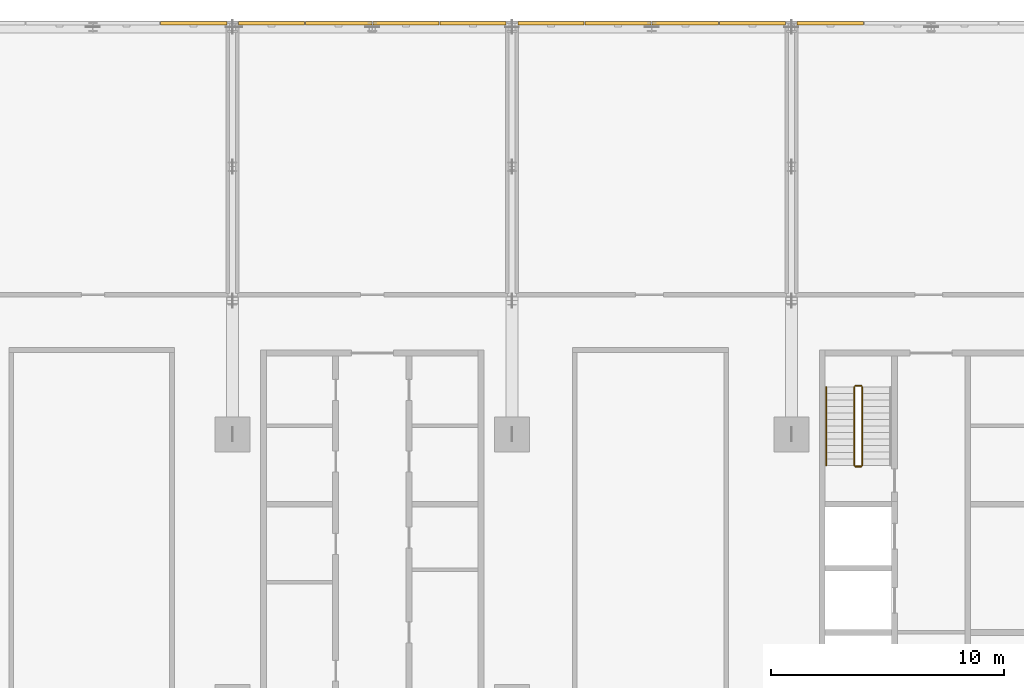
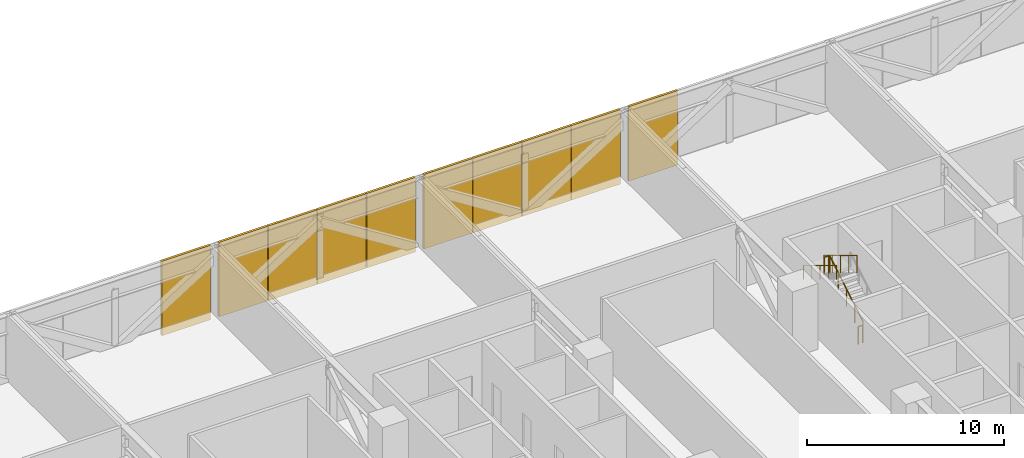
# One storey, part 24 of 26: 10 coverings, 5 railings.
"""IFC4 building model written with IfcOpenShell, lengths in metres."""

import ifcopenshell
import ifcopenshell.guid

model = None  # the IFC model being written
_history = None  # IfcOwnerHistory: only IFC2X3 demands one
_inside = {}  # id of a spatial element -> (the spatial element, [elements in it])
_under = {}  # id of a project, library or spatial element -> (it, [spatial elements below it])
_declared = {}  # id of a project -> (the project, [libraries it declares])
_typed = {}  # id of a type object -> (the type object, [elements of that type])
_made_of = {}  # id of a material, layer set ... -> (it, [elements and type objects made of it])


def new_model(schema):
    """Start an empty IFC model of exactly this schema.

    Asked for "IFC4X3", IfcOpenShell would pick the latest addendum, in which some entities
    have other attributes; the version numbers below select the first issue.
    IFC2X3 requires an IfcOwnerHistory on every rooted entity: one is made here for all.
    """
    global model, _history
    if schema == "IFC4X3":
        model = ifcopenshell.file(schema_version=(4, 3, 0, 0))
    else:
        model = ifcopenshell.file(schema=schema)
    _inside.clear()
    _under.clear()
    _declared.clear()
    _typed.clear()
    _made_of.clear()
    _history = None
    if model.schema == "IFC2X3":
        org = make("IfcOrganization", Name="unknown")
        user = make(
            "IfcPersonAndOrganization",
            ThePerson=make("IfcPerson", FamilyName="unknown"),
            TheOrganization=org,
        )
        app = make(
            "IfcApplication",
            ApplicationDeveloper=org,
            Version="unknown",
            ApplicationFullName="unknown",
            ApplicationIdentifier="unknown",
        )
        _history = make(
            "IfcOwnerHistory",
            OwningUser=user,
            OwningApplication=app,
            ChangeAction="ADDED",
            CreationDate=0,
        )
    return model


def make(cls, **values):
    """One entity of the class cls with the attributes given. An attribute that is None is left unset."""
    return model.create_entity(
        cls, **{name: value for name, value in values.items() if value is not None}
    )


def rooted(cls, **values):
    """An entity with a GlobalId (a new one), such as an element, a storey or a relation."""
    return make(cls, GlobalId=ifcopenshell.guid.new(), OwnerHistory=_history, **values)


def si_unit(unit_type, name, prefix=None):
    """IfcSIUnit, for example si_unit("LENGTHUNIT", "METRE", prefix="MILLI")."""
    return make("IfcSIUnit", UnitType=unit_type, Prefix=prefix, Name=name)


def assignment(units):
    """IfcUnitAssignment: the units of a project."""
    return None if units is None else make("IfcUnitAssignment", Units=units)


def point(xyz):
    """IfcCartesianPoint."""
    return None if xyz is None else make("IfcCartesianPoint", Coordinates=xyz)


def direction(xyz):
    """IfcDirection."""
    return None if xyz is None else make("IfcDirection", DirectionRatios=xyz)


def frame(location, z_axis=None, x_axis=None):
    """IfcAxis2Placement3D, a coordinate frame: its origin and axes. An axis left out is left unset."""
    return make(
        "IfcAxis2Placement3D",
        Location=point(location),
        Axis=direction(z_axis),
        RefDirection=direction(x_axis),
    )


def frame_2d(location, x_axis=None):
    """IfcAxis2Placement2D, a coordinate frame in the plane: its origin and x axis."""
    return make(
        "IfcAxis2Placement2D", Location=point(location), RefDirection=direction(x_axis)
    )


def origin():
    """The frame at (0, 0, 0) with its axes left unset."""
    return frame((0.0, 0.0, 0.0))


def origin_2d():
    """The frame at (0, 0) in the plane with its x axis left unset."""
    return frame_2d((0.0, 0.0))


def place(relative_to, where):
    """IfcLocalPlacement: puts the frame where relative to a parent placement (None: the world)."""
    return make(
        "IfcLocalPlacement", PlacementRelTo=relative_to, RelativePlacement=where
    )


def context(
    kind, dimensions, precision=None, world=None, true_north=None, identifier=None
):
    """IfcGeometricRepresentationContext, for example the 3D "Model" context."""
    return make(
        "IfcGeometricRepresentationContext",
        ContextIdentifier=identifier,
        ContextType=kind,
        CoordinateSpaceDimension=dimensions,
        Precision=precision,
        WorldCoordinateSystem=world,
        TrueNorth=true_north,
    )


def subcontext(parent, identifier, kind, view, scale=None):
    """IfcGeometricRepresentationSubContext, for example "Body" below "Model"."""
    return make(
        "IfcGeometricRepresentationSubContext",
        ContextIdentifier=identifier,
        ContextType=kind,
        ParentContext=parent,
        TargetScale=scale,
        TargetView=view,
    )


def project(units=None, contexts=None):
    """IfcProject with its units and contexts."""
    return rooted(
        "IfcProject",
        Name="project",
        RepresentationContexts=contexts,
        UnitsInContext=assignment(units),
    )


def spatial(cls, under=None, at=None, **own):
    """A site, building, storey or space (cls), placed at a placement, below another one or the project."""
    s = rooted(cls, ObjectPlacement=at, **own)
    if under is not None:
        _under.setdefault(under.id(), (under, []))[1].append(s)
    return s


def profile(cls, at=None, kind="AREA", **sizes):
    """A parametric profile (cls). Its sizes go by their IFC names, for example OverallWidth=200.0."""
    return make(cls, ProfileType=kind, Position=at, **sizes)


def rectangle(**sizes):
    """IfcRectangleProfileDef."""
    return profile("IfcRectangleProfileDef", **sizes)


def circle(**sizes):
    """IfcCircleProfileDef."""
    return profile("IfcCircleProfileDef", **sizes)


def extrude(swept, where, along, depth):
    """IfcExtrudedAreaSolid: the profile swept, set in the frame where, extruded along a direction by depth."""
    return make(
        "IfcExtrudedAreaSolid",
        SweptArea=swept,
        Position=where,
        ExtrudedDirection=direction(along),
        Depth=depth,
    )


def shape(context_of_items, identifier, shape_type, items):
    """IfcShapeRepresentation: the items that make up one representation, for example the "Body"."""
    return make(
        "IfcShapeRepresentation",
        ContextOfItems=context_of_items,
        RepresentationIdentifier=identifier,
        RepresentationType=shape_type,
        Items=items,
    )


def material(Name=None, Category=None):
    """IfcMaterial."""
    return make("IfcMaterial", Name=Name, Category=Category)


def made_of(thing, what):
    """Note that an element or type object is made of a material, layer set ...; save() writes the relation."""
    if what is not None:
        _made_of.setdefault(what.id(), (what, []))[1].append(thing)
    return thing


def type_object(cls, material=None, **own):
    """A type object (cls), such as IfcWallType, which elements share."""
    return made_of(rooted(cls, **own), material)


def element(
    cls,
    number,
    at=None,
    inside=None,
    cuts=None,
    type_object=None,
    material=None,
    context=None,
    identifier="Body",
    shape_type=None,
    held_by="IfcProductDefinitionShape",
    body=None,
    shapes=None,
    **own,
):
    """One element of the class cls, such as IfcWall. Its Tag is "e" and its number.

    at: its placement. inside: the storey or other place that contains it. cuts: it is an
    opening in that element (IfcRelVoidsElement). A single representation is given by context,
    identifier, shape_type and body (its items); several are given by shapes. held_by: the class
    of the entity that holds the representations. save() writes the other relations.
    """
    e = rooted(cls, Tag="e%d" % number, ObjectPlacement=at, **own)
    if body is not None:
        shapes = [shape(context, identifier, shape_type, body)]
    if shapes is not None:
        e.Representation = make(held_by, Representations=shapes)
    if inside is not None:
        _inside.setdefault(inside.id(), (inside, []))[1].append(e)
    if cuts is not None:
        rooted(
            "IfcRelVoidsElement", RelatingBuildingElement=cuts, RelatedOpeningElement=e
        )
    if type_object is not None:
        _typed.setdefault(type_object.id(), (type_object, []))[1].append(e)
    return made_of(e, material)


def aggregate(whole, parts):
    """IfcRelAggregates: a whole, such as a stair, and the parts it consists of."""
    return rooted("IfcRelAggregates", RelatingObject=whole, RelatedObjects=parts)


def save(model, path):
    """Write the relations noted so far, then the file.

    IfcRelAggregates (storeys below a building ...), IfcRelContainedInSpatialStructure (elements
    in a storey), IfcRelDefinesByType, IfcRelAssociatesMaterial and IfcRelDeclares: one each for
    every whole, place, type object, material and project.
    """
    for whole, parts in _under.values():
        aggregate(whole, parts)
    for where, things in _inside.values():
        rooted(
            "IfcRelContainedInSpatialStructure",
            RelatedElements=things,
            RelatingStructure=where,
        )
    for kind, things in _typed.values():
        rooted("IfcRelDefinesByType", RelatedObjects=things, RelatingType=kind)
    for what, things in _made_of.values():
        rooted("IfcRelAssociatesMaterial", RelatedObjects=things, RelatingMaterial=what)
    for by, libraries in _declared.values():
        rooted("IfcRelDeclares", RelatingContext=by, RelatedDefinitions=libraries)
    model.write(path)


model = new_model("IFC4")

# Units and contexts
model_context = context("Model", 3, precision=1e-05, world=origin(), true_north=direction((0.0, 1.0)))
body_context = subcontext(model_context, "Body", "Model", "MODEL_VIEW")
ifc_project = project(units=[si_unit("LENGTHUNIT", "METRE"), si_unit("AREAUNIT", "SQUARE_METRE"), si_unit("VOLUMEUNIT", "CUBIC_METRE"), si_unit("PLANEANGLEUNIT", "RADIAN"), si_unit("MASSUNIT", "GRAM", prefix="KILO")], contexts=[model_context])

# Site, building, storey
site_placement = place(None, origin())
site = spatial("IfcSite", under=ifc_project, at=site_placement, CompositionType="ELEMENT")
building_placement = place(site_placement, origin())
building = spatial("IfcBuilding", under=site, at=building_placement, Name="Mahtab Terrace Research Tower", CompositionType="ELEMENT")
storey_placement = place(building_placement, frame((0.0, 0.0, 80.39990234375)))
storey = spatial("IfcBuildingStorey", under=building, at=storey_placement, Name="L18", CompositionType="ELEMENT", Elevation=80.39990234375)

# Coverings
ifc_material_1 = material(Name="Natural anodised aluminium", Category="aluminium")
covering_type = type_object("IfcCoveringType", Name="Plant storey louvre bay", PredefinedType="CLADDING", material=ifc_material_1)
for number, where, z_axis, x_axis, name in (
    (1, (19.6708984375, 29.159912109375, -0.5498046875), (0.0, 0.0, 1.0), (-1.0, 0.0, 0.0), "Louvre bay L18 16"),
    (2, (16.3291015625, 29.159912109375, -0.5498046875), (0.0, 0.0, 1.0), (-1.0, 0.0, 0.0), "Louvre bay L18 17"),
    (3, (13.443115234375, 29.159912109375, -0.5498046875), (0.0, 0.0, 1.0), (-1.0, 0.0, 0.0), "Louvre bay L18 18"),
    (4, (10.556884765625, 29.159912109375, -0.5498046875), (0.0, 0.0, 1.0), (-1.0, 0.0, 0.0), "Louvre bay L18 19"),
    (5, (7.6708984375, 29.159912109375, -0.5498046875), (0.0, 0.0, 1.0), (-1.0, 0.0, 0.0), "Louvre bay L18 20"),
    (6, (4.3291015625, 29.159912109375, -0.5498046875), (0.0, 0.0, 1.0), (-1.0, 0.0, 0.0), "Louvre bay L18 21"),
    (7, (1.443115234375, 29.159912109375, -0.5498046875), (0.0, 0.0, 1.0), (-1.0, 0.0, 0.0), "Louvre bay L18 22"),
    (8, (-1.443115234375, 29.159912109375, -0.5498046875), (0.0, 0.0, 1.0), (-1.0, 0.0, 0.0), "Louvre bay L18 23"),
    (9, (-4.3291015625, 29.159912109375, -0.5498046875), (0.0, 0.0, 1.0), (-1.0, 0.0, 0.0), "Louvre bay L18 24"),
    (10, (-7.6708984375, 29.159912109375, -0.5498046875), (0.0, 0.0, 1.0), (-1.0, 0.0, 0.0), "Louvre bay L18 25"),
):
    element("IfcCovering", number, at=place(storey_placement, frame(where, z_axis=z_axis, x_axis=x_axis)), inside=storey, type_object=covering_type, Name=name, PredefinedType="CLADDING", context=body_context, shape_type="SweptSolid", body=[
        extrude(rectangle(XDim=2.845947265625, YDim=0.139892578125, at=origin_2d()), origin(), (0.0, 0.0, 1.0), 4.610107421875),
    ])

# Railings
ifc_material_2 = material(Name="Stainless steel AISI 304", Category="steel")
railing_type_1 = type_object("IfcRailingType", Name="Stair guard 1100", PredefinedType="GUARDRAIL", material=ifc_material_2)
railing_1_placement = place(storey_placement, frame((21.050048828125, 10.175048828125, 0.16943359375)))
element("IfcRailing", 11, at=railing_1_placement, inside=storey, type_object=railing_type_1, Name="L18 ST3 stair guard 1", PredefinedType="GUARDRAIL", context=body_context, shape_type="SweptSolid", body=[
    extrude(circle(Radius=0.02392578125, at=origin_2d()), frame((0.0, 0.0, 1.076171875), z_axis=(0.0, 0.855820338506, 0.51727318527), x_axis=(-1.0, 0.0, 0.0)), (0.0, 0.0, 1.0), 3.92578125),
    extrude(circle(Radius=0.02099609375, at=origin_2d()), origin(), (0.0, 0.0, 1.0), 1.052001953125),
    extrude(circle(Radius=0.02099609375, at=origin_2d()), frame((0.0, 0.83984375, 0.5078125)), (0.0, 0.0, 1.0), 1.052001953125),
    extrude(circle(Radius=0.02099609375, at=origin_2d()), frame((0.0, 1.679931640625, 1.015380859375)), (0.0, 0.0, 1.0), 1.052001953125),
    extrude(circle(Radius=0.02099609375, at=origin_2d()), frame((0.0, 2.52001953125, 1.52294921875)), (0.0, 0.0, 1.0), 1.052001953125),
    extrude(circle(Radius=0.02099609375, at=origin_2d()), frame((0.0, 3.35986328125, 2.03076171875)), (0.0, 0.0, 1.0), 1.052001953125),
])
railing_2_placement = place(storey_placement, frame((21.0, 13.5849609375, 2.2001953125)))
element("IfcRailing", 12, at=railing_2_placement, inside=storey, type_object=railing_type_1, Name="L18 ST3 stair guard 2", PredefinedType="GUARDRAIL", context=body_context, shape_type="SweptSolid", body=[
    extrude(circle(Radius=0.02392578125, at=origin_2d()), frame((0.0, 0.0, 1.076171875), z_axis=(-1.0, 0.0, 0.0), x_axis=(0.0, -1.0, 0.0)), (0.0, 0.0, 1.0), 0.25),
    extrude(circle(Radius=0.02099609375, at=origin_2d()), origin(), (0.0, 0.0, 1.0), 1.052001953125),
    extrude(circle(Radius=0.02099609375, at=origin_2d()), frame((-0.25, 0.0, 0.0)), (0.0, 0.0, 1.0), 1.052001953125),
])
railing_3_placement = place(storey_placement, frame((20.699951171875, 13.534912109375, 2.369384765625)))
element("IfcRailing", 13, at=railing_3_placement, inside=storey, type_object=railing_type_1, Name="L18 ST3 stair guard 3", PredefinedType="GUARDRAIL", context=body_context, shape_type="SweptSolid", body=[
    extrude(circle(Radius=0.02392578125, at=origin_2d()), frame((0.0, 0.0, 1.076171875), z_axis=(0.0, -0.855820338506, 0.51727318527), x_axis=(1.0, 0.0, 0.0)), (0.0, 0.0, 1.0), 3.92578125),
    extrude(circle(Radius=0.02099609375, at=origin_2d()), origin(), (0.0, 0.0, 1.0), 1.052001953125),
    extrude(circle(Radius=0.02099609375, at=origin_2d()), frame((0.0, -0.83984375, 0.5078125)), (0.0, 0.0, 1.0), 1.052001953125),
    extrude(circle(Radius=0.02099609375, at=origin_2d()), frame((0.0, -1.679931640625, 1.015380859375)), (0.0, 0.0, 1.0), 1.052001953125),
    extrude(circle(Radius=0.02099609375, at=origin_2d()), frame((0.0, -2.52001953125, 1.52294921875)), (0.0, 0.0, 1.0), 1.052001953125),
    extrude(circle(Radius=0.02099609375, at=origin_2d()), frame((0.0, -3.35986328125, 2.03076171875)), (0.0, 0.0, 1.0), 1.052001953125),
])
railing_4_placement = place(storey_placement, frame((21.0, 10.125, 0.0)))
element("IfcRailing", 14, at=railing_4_placement, inside=storey, type_object=railing_type_1, Name="L18 ST3 stair guard 4", PredefinedType="GUARDRAIL", context=body_context, shape_type="SweptSolid", body=[
    extrude(circle(Radius=0.02392578125, at=origin_2d()), frame((0.0, 0.0, 1.076171875), z_axis=(-1.0, 0.0, 0.0), x_axis=(0.0, -1.0, 0.0)), (0.0, 0.0, 1.0), 0.25),
    extrude(circle(Radius=0.02099609375, at=origin_2d()), origin(), (0.0, 0.0, 1.0), 1.052001953125),
    extrude(circle(Radius=0.02099609375, at=origin_2d()), frame((-0.25, 0.0, 0.0)), (0.0, 0.0, 1.0), 1.052001953125),
])
railing_type_2 = type_object("IfcRailingType", Name="Stair handrail 900", PredefinedType="HANDRAIL", material=ifc_material_2)
railing_5_placement = place(storey_placement, frame((19.5, 13.534912109375, 2.369384765625)))
element("IfcRailing", 15, at=railing_5_placement, inside=storey, type_object=railing_type_2, Name="L18 ST3 stair handrail 2", PredefinedType="HANDRAIL", context=body_context, shape_type="SweptSolid", body=[
    extrude(circle(Radius=0.02392578125, at=origin_2d()), frame((0.0, 0.0, 0.8759765625), z_axis=(0.0, -0.855820338506, 0.51727318527), x_axis=(1.0, 0.0, 0.0)), (0.0, 0.0, 1.0), 3.92578125),
    extrude(circle(Radius=0.02099609375, at=origin_2d()), origin(), (0.0, 0.0, 1.0), 0.851806640625),
    extrude(circle(Radius=0.02099609375, at=origin_2d()), frame((0.0, -0.83984375, 0.5078125)), (0.0, 0.0, 1.0), 0.851806640625),
    extrude(circle(Radius=0.02099609375, at=origin_2d()), frame((0.0, -1.679931640625, 1.015380859375)), (0.0, 0.0, 1.0), 0.851806640625),
    extrude(circle(Radius=0.02099609375, at=origin_2d()), frame((0.0, -2.52001953125, 1.52294921875)), (0.0, 0.0, 1.0), 0.851806640625),
    extrude(circle(Radius=0.02099609375, at=origin_2d()), frame((0.0, -3.35986328125, 2.03076171875)), (0.0, 0.0, 1.0), 0.851806640625),
])

save(model, "model.ifc")
